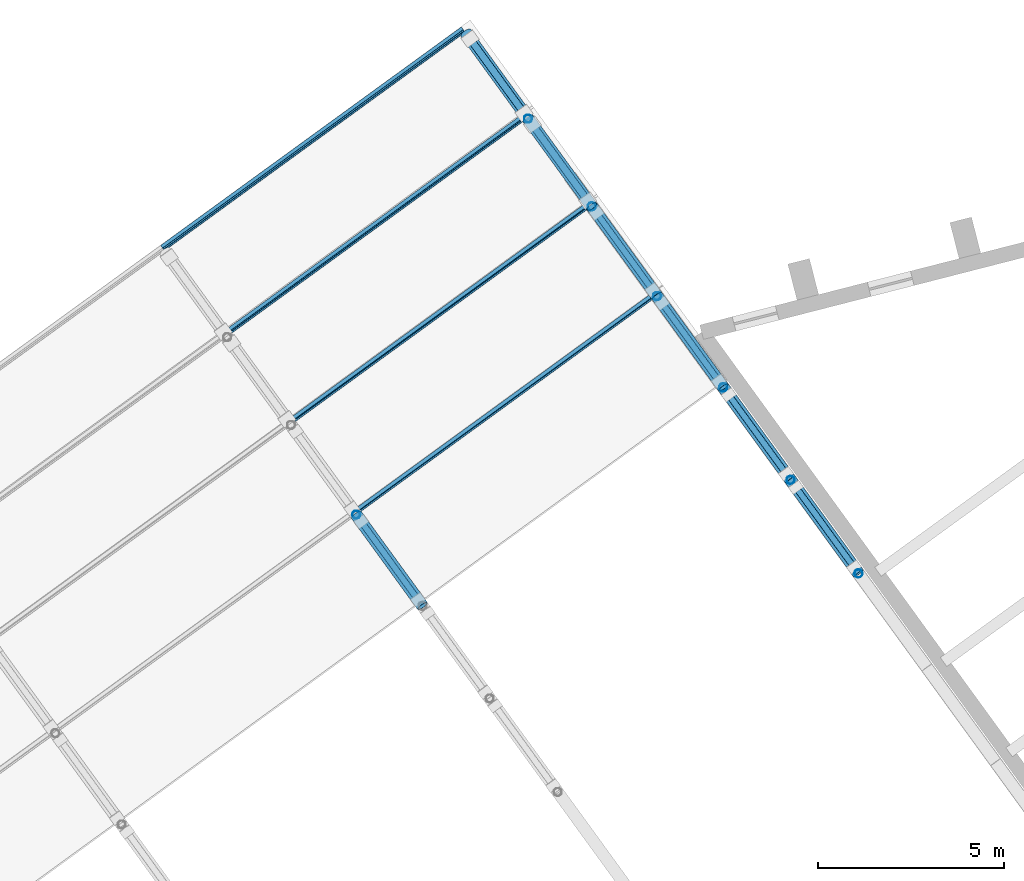
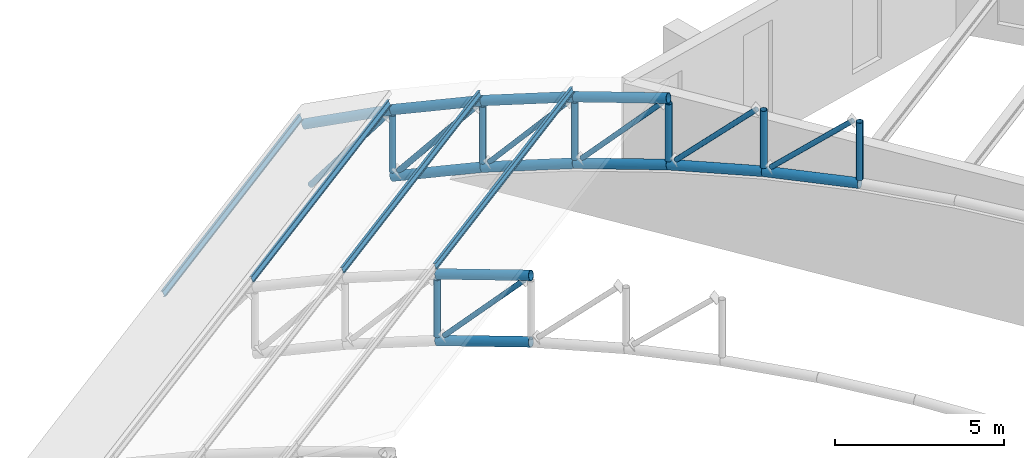
# One storey, part 30 of 69: 25 members, 4 beams.
"""IFC4 building model written with IfcOpenShell, lengths in metres."""

from ifc_helpers import new_model, si_unit, direction, frame, origin, origin_2d, place, context, subcontext, project, spatial, hollow_circle, i_section, extrude, material, material_profile, profile_set, type_object, element, save


model = new_model("IFC4")

# Units and contexts
model_context = context("Model", 3, precision=1e-05, world=origin(), true_north=direction((0.0, 1.0)))
body_context = subcontext(model_context, "Body", "Model", "MODEL_VIEW")
ifc_project = project(units=[si_unit("LENGTHUNIT", "METRE"), si_unit("AREAUNIT", "SQUARE_METRE"), si_unit("VOLUMEUNIT", "CUBIC_METRE"), si_unit("PLANEANGLEUNIT", "RADIAN"), si_unit("MASSUNIT", "GRAM", prefix="KILO")], contexts=[model_context])

# Site, building, storey
site_placement = place(None, origin())
site = spatial("IfcSite", under=ifc_project, at=site_placement, CompositionType="ELEMENT")
building_placement = place(site_placement, origin())
building = spatial("IfcBuilding", under=site, at=building_placement, Name="Okhra Congress Centre", CompositionType="ELEMENT")
storey_placement = place(building_placement, frame((0.0, 0.0, 16.800048828125)))
storey = spatial("IfcBuildingStorey", under=building, at=storey_placement, Name="L03", CompositionType="ELEMENT", Elevation=16.800048828125)

# Members
ifc_material_1 = material(Name="Steel S355J2H", Category="steel")
ifc_material_profile_1 = material_profile(ifc_material_1, hollow_circle(Radius=0.084228515625, WallThickness=0.00634765625, at=origin_2d()), Name="CHS 168.3x6.3")
ifc_profile_set_1 = profile_set([ifc_material_profile_1], Name="Steel S355J2H")
member_type_1 = type_object("IfcMemberType", Name="CHS 168.3x6.3", PredefinedType="BRACE", material=ifc_profile_set_1)
member_1_placement = place(storey_placement, frame((245.424072265625, 219.68359375, 1.861572265625), z_axis=(0.403566104127, -0.555431833884, 0.727069375994), x_axis=(0.809002272195, 0.587805515102, 0.0)))
element("IfcMember", 1, at=member_1_placement, inside=storey, type_object=member_type_1, Name="Truss 6 diagonal 14", PredefinedType="BRACE", context=body_context, shape_type="SweptSolid", body=[
    extrude(hollow_circle(Radius=0.084228515625, WallThickness=0.00634765625, at=origin_2d()), origin(), (0.0, 0.0, 1.0), 3.753662109375),
])
member_2_placement = place(storey_placement, frame((257.1142578125, 220.6064453125, 3.290283203125), z_axis=(0.432852970134, -0.595735556437, 0.676562970494), x_axis=(0.80900036382, 0.587808141607, 0.0)))
element("IfcMember", 2, at=member_2_placement, inside=storey, type_object=member_type_1, Name="Truss 7 diagonal 12", PredefinedType="BRACE", context=body_context, shape_type="SweptSolid", body=[
    extrude(hollow_circle(Radius=0.084228515625, WallThickness=0.00634765625, at=origin_2d()), origin(), (0.0, 0.0, 1.0), 3.579345703125),
])
member_3_placement = place(storey_placement, frame((255.306396484375, 223.0947265625, 2.67236328125), z_axis=(0.418439949368, -0.575872140845, 0.702338441331), x_axis=(0.808987367589, 0.587826027904, 0.0)))
element("IfcMember", 3, at=member_3_placement, inside=storey, type_object=member_type_1, Name="Truss 7 diagonal 13", PredefinedType="BRACE", context=body_context, shape_type="SweptSolid", body=[
    extrude(hollow_circle(Radius=0.084228515625, WallThickness=0.00634765625, at=origin_2d()), origin(), (0.0, 0.0, 1.0), 3.658203125),
])
member_4_placement = place(storey_placement, frame((253.514404296875, 225.5615234375, 1.861572265625), z_axis=(0.403551525379, -0.555476805522, 0.727043110752), x_axis=(0.809034999426, 0.587760469668, 0.0)))
element("IfcMember", 4, at=member_4_placement, inside=storey, type_object=member_type_1, Name="Truss 7 diagonal 14", PredefinedType="BRACE", context=body_context, shape_type="SweptSolid", body=[
    extrude(hollow_circle(Radius=0.084228515625, WallThickness=0.00634765625, at=origin_2d()), origin(), (0.0, 0.0, 1.0), 3.75390625),
])
member_5_placement = place(storey_placement, frame((251.75390625, 227.984375, 0.876220703125), z_axis=(0.388319016277, -0.534446918345, 0.750716213405), x_axis=(0.809002165091, 0.58780566251, 0.0)))
element("IfcMember", 5, at=member_5_placement, inside=storey, type_object=member_type_1, Name="Truss 7 diagonal 15", PredefinedType="BRACE", context=body_context, shape_type="SweptSolid", body=[
    extrude(hollow_circle(Radius=0.084228515625, WallThickness=0.00634765625, at=origin_2d()), origin(), (0.0, 0.0, 1.0), 3.8427734375),
])
ifc_material_profile_2 = material_profile(ifc_material_1, hollow_circle(Radius=0.096923828125, WallThickness=0.010009765625, at=origin_2d()), Name="CHS 193.7x10")
ifc_profile_set_2 = profile_set([ifc_material_profile_2], Name="Steel S355J2H")
member_type_2 = type_object("IfcMemberType", Name="CHS 193.7x10", PredefinedType="BRACE", material=ifc_profile_set_2)
member_6_placement = place(storey_placement, frame((250.030517578125, 230.3564453125, -0.28076171875), z_axis=(0.3727521496, -0.513012647098, 0.773223033081), x_axis=(0.808997013889, 0.587812752089, 0.0)))
element("IfcMember", 6, at=member_6_placement, inside=storey, type_object=member_type_2, Name="Truss 7 diagonal 16", PredefinedType="BRACE", context=body_context, shape_type="SweptSolid", body=[
    extrude(hollow_circle(Radius=0.096923828125, WallThickness=0.010009765625, at=origin_2d()), origin(), (0.0, 0.0, 1.0), 3.95458984375),
])
member_7_placement = place(storey_placement, frame((248.349853515625, 232.669677734375, -1.60595703125), z_axis=(0.356786330674, -0.491055574481, 0.794712487013), x_axis=(0.809006361438, 0.587799886997, 0.0)))
element("IfcMember", 7, at=member_7_placement, inside=storey, type_object=member_type_2, Name="Truss 7 diagonal 17", PredefinedType="BRACE", context=body_context, shape_type="SweptSolid", body=[
    extrude(hollow_circle(Radius=0.096923828125, WallThickness=0.010009765625, at=origin_2d()), origin(), (0.0, 0.0, 1.0), 4.052978515625),
])
ifc_material_profile_3 = material_profile(ifc_material_1, hollow_circle(Radius=0.109619140625, WallThickness=0.008056640625, at=origin_2d()), Name="CHS 219.1x8")
ifc_profile_set_3 = profile_set([ifc_material_profile_3], Name="Steel S355J2H")
member_type_3 = type_object("IfcMemberType", Name="CHS 219.1x8", PredefinedType="POST", material=ifc_profile_set_3)
member_8_placement = place(storey_placement, frame((245.287841796875, 219.87109375, 1.787109375), z_axis=(0.0, 0.0, 1.0), x_axis=(1.0, 0.0, 0.0)))
element("IfcMember", 8, at=member_8_placement, inside=storey, type_object=member_type_3, Name="Truss 6 post 14", PredefinedType="POST", context=body_context, shape_type="SweptSolid", body=[
    extrude(hollow_circle(Radius=0.109619140625, WallThickness=0.008056640625, at=origin_2d()), origin(), (0.0, 0.0, 1.0), 2.057861328125),
])
member_9_placement = place(storey_placement, frame((258.79638671875, 218.291259765625, 3.6845703125), z_axis=(0.0, 0.0, 1.0), x_axis=(1.0, 0.0, 0.0)))
element("IfcMember", 9, at=member_9_placement, inside=storey, type_object=member_type_3, Name="Truss 7 post 11", PredefinedType="POST", context=body_context, shape_type="SweptSolid", body=[
    extrude(hollow_circle(Radius=0.109619140625, WallThickness=0.008056640625, at=origin_2d()), origin(), (0.0, 0.0, 1.0), 2.06982421875),
])
member_10_placement = place(storey_placement, frame((256.9697265625, 220.8056640625, 3.230712890625), z_axis=(0.0, 0.0, 1.0), x_axis=(1.0, 0.0, 0.0)))
element("IfcMember", 10, at=member_10_placement, inside=storey, type_object=member_type_3, Name="Truss 7 post 12", PredefinedType="POST", context=body_context, shape_type="SweptSolid", body=[
    extrude(hollow_circle(Radius=0.109619140625, WallThickness=0.008056640625, at=origin_2d()), origin(), (0.0, 0.0, 1.0), 2.067138671875),
])
member_11_placement = place(storey_placement, frame((255.161376953125, 223.29443359375, 2.597412109375), z_axis=(0.0, 0.0, 1.0), x_axis=(1.0, 0.0, 0.0)))
element("IfcMember", 11, at=member_11_placement, inside=storey, type_object=member_type_3, Name="Truss 7 post 13", PredefinedType="POST", context=body_context, shape_type="SweptSolid", body=[
    extrude(hollow_circle(Radius=0.109619140625, WallThickness=0.008056640625, at=origin_2d()), origin(), (0.0, 0.0, 1.0), 2.063232421875),
])
member_12_placement = place(storey_placement, frame((253.378173828125, 225.7490234375, 1.787109375), z_axis=(0.0, 0.0, 1.0), x_axis=(1.0, 0.0, 0.0)))
element("IfcMember", 12, at=member_12_placement, inside=storey, type_object=member_type_3, Name="Truss 7 post 14", PredefinedType="POST", context=body_context, shape_type="SweptSolid", body=[
    extrude(hollow_circle(Radius=0.109619140625, WallThickness=0.008056640625, at=origin_2d()), origin(), (0.0, 0.0, 1.0), 2.057861328125),
])
member_13_placement = place(storey_placement, frame((251.62548828125, 228.161376953125, 0.80224609375), z_axis=(0.0, 0.0, 1.0), x_axis=(1.0, 0.0, 0.0)))
element("IfcMember", 13, at=member_13_placement, inside=storey, type_object=member_type_3, Name="Truss 7 post 15", PredefinedType="POST", context=body_context, shape_type="SweptSolid", body=[
    extrude(hollow_circle(Radius=0.109619140625, WallThickness=0.008056640625, at=origin_2d()), origin(), (0.0, 0.0, 1.0), 2.05126953125),
])
member_14_placement = place(storey_placement, frame((249.90966796875, 230.52294921875, -0.353271484375), z_axis=(0.0, 0.0, 1.0), x_axis=(1.0, 0.0, 0.0)))
element("IfcMember", 14, at=member_14_placement, inside=storey, type_object=member_type_3, Name="Truss 7 post 16", PredefinedType="POST", context=body_context, shape_type="SweptSolid", body=[
    extrude(hollow_circle(Radius=0.109619140625, WallThickness=0.008056640625, at=origin_2d()), origin(), (0.0, 0.0, 1.0), 2.043212890625),
])
ifc_material_profile_4 = material_profile(ifc_material_1, hollow_circle(Radius=0.161865234375, WallThickness=0.012451171875, at=origin_2d()), Name="CHS 323.9x12.5")
ifc_profile_set_4 = profile_set([ifc_material_profile_4], Name="Steel S355J2H")
member_type_4 = type_object("IfcMemberType", Name="CHS 323.9x12.5", PredefinedType="CHORD", material=ifc_profile_set_4)
for number, where, z_axis, x_axis, name in (
    (15, (247.0712890625, 217.41650390625, 2.428955078125), (-0.567774014658, 0.781437363911, -0.258821008735), (-0.809003930018, -0.587803233417, 0.0), "Truss 6 bottom chord 14"),
    (16, (247.0712890625, 217.41650390625, 4.8291015625), (-0.567774014658, 0.781437363911, -0.258821008735), (-0.809003930018, -0.587803233417, 0.0), "Truss 6 top chord 14"),
    (17, (258.79638671875, 218.291259765625, 3.51953125), (-0.581543271945, 0.800496412425, -0.144958326942), (-0.809041704036, -0.587751240858, 0.0), "Truss 7 bottom chord 12"),
):
    element("IfcMember", number, at=place(storey_placement, frame(where, z_axis=z_axis, x_axis=x_axis)), inside=storey, type_object=member_type_4, Name=name, PredefinedType="CHORD", context=body_context, shape_type="SweptSolid", body=[
        extrude(hollow_circle(Radius=0.161865234375, WallThickness=0.012451171875, at=origin_2d()), origin(), (0.0, 0.0, 1.0), 3.14111328125),
    ])
member_15_placement = place(storey_placement, frame((256.9697265625, 220.8056640625, 3.064208984375), z_axis=(-0.575672570381, 0.792278409945, -0.202227626317), x_axis=(-0.808993389874, -0.587817739729, 0.0)))
element("IfcMember", 18, at=member_15_placement, inside=storey, type_object=member_type_4, Name="Truss 7 bottom chord 13", PredefinedType="CHORD", context=body_context, shape_type="SweptSolid", body=[
    extrude(hollow_circle(Radius=0.161865234375, WallThickness=0.012451171875, at=origin_2d()), origin(), (0.0, 0.0, 1.0), 3.141357421875),
])
for number, where, z_axis, x_axis, name in (
    (19, (255.161376953125, 223.29443359375, 2.428955078125), (-0.567721342832, 0.781471848416, -0.258832430398), (-0.809042194464, -0.587750565781, 0.0), "Truss 7 bottom chord 14"),
    (20, (255.161376953125, 223.29443359375, 4.8291015625), (-0.567721342832, 0.781471848416, -0.258832430398), (-0.809042194464, -0.587750565781, 0.0), "Truss 7 top chord 14"),
):
    element("IfcMember", number, at=place(storey_placement, frame(where, z_axis=z_axis, x_axis=x_axis)), inside=storey, type_object=member_type_4, Name=name, PredefinedType="CHORD", context=body_context, shape_type="SweptSolid", body=[
        extrude(hollow_circle(Radius=0.161865234375, WallThickness=0.012451171875, at=origin_2d()), origin(), (0.0, 0.0, 1.0), 3.140869140625),
    ])
for number, where, z_axis, x_axis, name in (
    (21, (253.378173828125, 225.7490234375, 1.615966796875), (-0.557954547664, 0.767954991708, -0.314534343836), (-0.809015698609, -0.587787035757, 0.0), "Truss 7 bottom chord 15"),
    (22, (253.378173828125, 225.7490234375, 4.01611328125), (-0.557954547664, 0.767954991708, -0.314534343836), (-0.809015698609, -0.587787035757, 0.0), "Truss 7 top chord 15"),
):
    element("IfcMember", number, at=place(storey_placement, frame(where, z_axis=z_axis, x_axis=x_axis)), inside=storey, type_object=member_type_4, Name=name, PredefinedType="CHORD", context=body_context, shape_type="SweptSolid", body=[
        extrude(hollow_circle(Radius=0.161865234375, WallThickness=0.012451171875, at=origin_2d()), origin(), (0.0, 0.0, 1.0), 3.141357421875),
    ])
for number, where, z_axis, x_axis, name in (
    (23, (251.62548828125, 228.161376953125, 0.6279296875), (-0.546265295886, 0.751853188262, -0.369203209371), (-0.80901086452, -0.587793689222, 0.0), "Truss 7 bottom chord 16"),
    (24, (251.62548828125, 228.161376953125, 3.028076171875), (-0.546249618706, 0.751831610948, -0.369270338428), (-0.80901086452, -0.587793689222, 0.0), "Truss 7 top chord 16"),
    (25, (249.90966796875, 230.52294921875, 1.8681640625), (-0.532714364208, 0.733240051348, -0.42258068255), (-0.809025240298, -0.587773902586, 0.0), "Truss 7 top chord 17"),
):
    element("IfcMember", number, at=place(storey_placement, frame(where, z_axis=z_axis, x_axis=x_axis)), inside=storey, type_object=member_type_4, Name=name, PredefinedType="CHORD", context=body_context, shape_type="SweptSolid", body=[
        extrude(hollow_circle(Radius=0.161865234375, WallThickness=0.012451171875, at=origin_2d()), origin(), (0.0, 0.0, 1.0), 3.14111328125),
    ])

# Beams
ifc_material_2 = material(Name="Steel S355J2", Category="steel")
ifc_material_profile_5 = material_profile(ifc_material_2, i_section(OverallWidth=0.10009765625, OverallDepth=0.199951171875, WebThickness=0.005615234375, FlangeThickness=0.008544921875, FilletRadius=0.011962890625, at=origin_2d()), Name="IPE 200")
ifc_profile_set_5 = profile_set([ifc_material_profile_5], Name="Steel S355J2")
beam_type = type_object("IfcBeamType", Name="IPE 200", PredefinedType="BEAM", material=ifc_profile_set_5)
for number, where, z_axis, x_axis, name in (
    (26, (245.244140625, 219.93115234375, 4.26416015625), (0.809018924928, 0.587782595105, 0.0), (-0.563089561631, 0.775031645345, -0.286803232717), "Purlin 15.90"),
    (27, (243.483154296875, 222.35498046875, 3.271240234375), (0.809018924928, 0.587782595105, 0.0), (-0.552334967246, 0.760229113831, -0.342020143326), "Purlin 16.96"),
    (28, (241.759033203125, 224.72802734375, 2.10595703125), (0.809018924928, 0.587782595105, 0.0), (-0.53971144617, 0.742854207642, -0.396079766034), "Purlin 17.102"),
):
    element("IfcBeam", number, at=place(storey_placement, frame(where, z_axis=z_axis, x_axis=x_axis)), inside=storey, type_object=beam_type, Name=name, PredefinedType="BEAM", context=body_context, shape_type="SweptSolid", body=[
        extrude(i_section(OverallWidth=0.10009765625, OverallDepth=0.199951171875, WebThickness=0.005615234375, FlangeThickness=0.008544921875, FilletRadius=0.011962890625, at=origin_2d()), origin(), (0.0, 0.0, 1.0), 10.000244140625),
    ])
beam_placement = place(storey_placement, frame((240.077880859375, 227.042236328125, 0.772216796875), z_axis=(0.809010490052, 0.58779420462, 0.0), x_axis=(-0.52527208704, 0.722958180273, -0.448799180206)))
element("IfcBeam", 29, at=beam_placement, inside=storey, type_object=beam_type, Name="Purlin 18.108", PredefinedType="BEAM", context=body_context, shape_type="SweptSolid", body=[
    extrude(i_section(OverallWidth=0.10009765625, OverallDepth=0.199951171875, WebThickness=0.005615234375, FlangeThickness=0.008544921875, FilletRadius=0.011962890625, at=origin_2d()), origin(), (0.0, 0.0, 1.0), 10.0),
])

save(model, "model.ifc")
